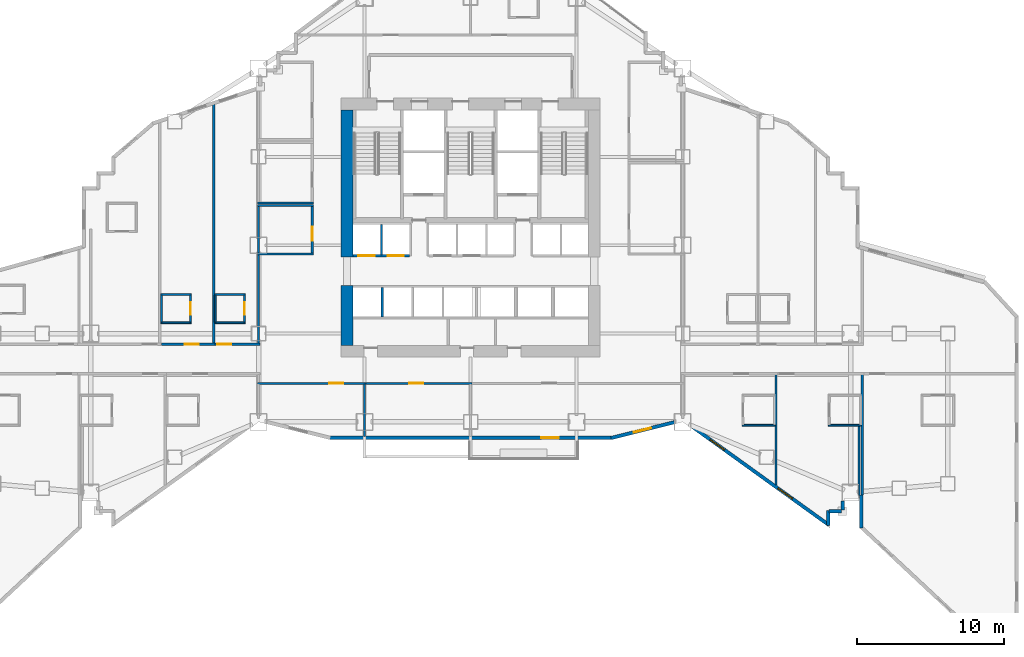
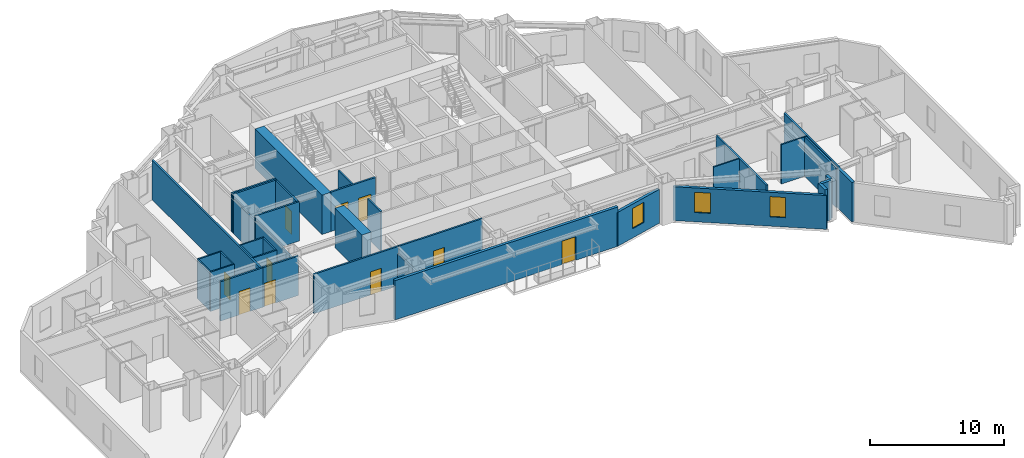
# One storey, part 8 of 15: 37 walls, 10 doors, 3 windows, 13 openings.
"""IFC4 building model written with IfcOpenShell, lengths in metres."""

import ifcopenshell
import ifcopenshell.guid

model = None  # the IFC model being written
_history = None  # IfcOwnerHistory: only IFC2X3 demands one
_inside = {}  # id of a spatial element -> (the spatial element, [elements in it])
_under = {}  # id of a project, library or spatial element -> (it, [spatial elements below it])
_declared = {}  # id of a project -> (the project, [libraries it declares])
_typed = {}  # id of a type object -> (the type object, [elements of that type])
_made_of = {}  # id of a material, layer set ... -> (it, [elements and type objects made of it])


def new_model(schema):
    """Start an empty IFC model of exactly this schema.

    Asked for "IFC4X3", IfcOpenShell would pick the latest addendum, in which some entities
    have other attributes; the version numbers below select the first issue.
    IFC2X3 requires an IfcOwnerHistory on every rooted entity: one is made here for all.
    """
    global model, _history
    if schema == "IFC4X3":
        model = ifcopenshell.file(schema_version=(4, 3, 0, 0))
    else:
        model = ifcopenshell.file(schema=schema)
    _inside.clear()
    _under.clear()
    _declared.clear()
    _typed.clear()
    _made_of.clear()
    _history = None
    if model.schema == "IFC2X3":
        org = make("IfcOrganization", Name="unknown")
        user = make(
            "IfcPersonAndOrganization",
            ThePerson=make("IfcPerson", FamilyName="unknown"),
            TheOrganization=org,
        )
        app = make(
            "IfcApplication",
            ApplicationDeveloper=org,
            Version="unknown",
            ApplicationFullName="unknown",
            ApplicationIdentifier="unknown",
        )
        _history = make(
            "IfcOwnerHistory",
            OwningUser=user,
            OwningApplication=app,
            ChangeAction="ADDED",
            CreationDate=0,
        )
    return model


def make(cls, **values):
    """One entity of the class cls with the attributes given. An attribute that is None is left unset."""
    return model.create_entity(
        cls, **{name: value for name, value in values.items() if value is not None}
    )


def rooted(cls, **values):
    """An entity with a GlobalId (a new one), such as an element, a storey or a relation."""
    return make(cls, GlobalId=ifcopenshell.guid.new(), OwnerHistory=_history, **values)


def si_unit(unit_type, name, prefix=None):
    """IfcSIUnit, for example si_unit("LENGTHUNIT", "METRE", prefix="MILLI")."""
    return make("IfcSIUnit", UnitType=unit_type, Prefix=prefix, Name=name)


def assignment(units):
    """IfcUnitAssignment: the units of a project."""
    return None if units is None else make("IfcUnitAssignment", Units=units)


def point(xyz):
    """IfcCartesianPoint."""
    return None if xyz is None else make("IfcCartesianPoint", Coordinates=xyz)


def direction(xyz):
    """IfcDirection."""
    return None if xyz is None else make("IfcDirection", DirectionRatios=xyz)


def frame(location, z_axis=None, x_axis=None):
    """IfcAxis2Placement3D, a coordinate frame: its origin and axes. An axis left out is left unset."""
    return make(
        "IfcAxis2Placement3D",
        Location=point(location),
        Axis=direction(z_axis),
        RefDirection=direction(x_axis),
    )


def frame_2d(location, x_axis=None):
    """IfcAxis2Placement2D, a coordinate frame in the plane: its origin and x axis."""
    return make(
        "IfcAxis2Placement2D", Location=point(location), RefDirection=direction(x_axis)
    )


def origin():
    """The frame at (0, 0, 0) with its axes left unset."""
    return frame((0.0, 0.0, 0.0))


def place(relative_to, where):
    """IfcLocalPlacement: puts the frame where relative to a parent placement (None: the world)."""
    return make(
        "IfcLocalPlacement", PlacementRelTo=relative_to, RelativePlacement=where
    )


def context(
    kind, dimensions, precision=None, world=None, true_north=None, identifier=None
):
    """IfcGeometricRepresentationContext, for example the 3D "Model" context."""
    return make(
        "IfcGeometricRepresentationContext",
        ContextIdentifier=identifier,
        ContextType=kind,
        CoordinateSpaceDimension=dimensions,
        Precision=precision,
        WorldCoordinateSystem=world,
        TrueNorth=true_north,
    )


def subcontext(parent, identifier, kind, view, scale=None):
    """IfcGeometricRepresentationSubContext, for example "Body" below "Model"."""
    return make(
        "IfcGeometricRepresentationSubContext",
        ContextIdentifier=identifier,
        ContextType=kind,
        ParentContext=parent,
        TargetScale=scale,
        TargetView=view,
    )


def project(units=None, contexts=None):
    """IfcProject with its units and contexts."""
    return rooted(
        "IfcProject",
        Name="project",
        RepresentationContexts=contexts,
        UnitsInContext=assignment(units),
    )


def spatial(cls, under=None, at=None, **own):
    """A site, building, storey or space (cls), placed at a placement, below another one or the project."""
    s = rooted(cls, ObjectPlacement=at, **own)
    if under is not None:
        _under.setdefault(under.id(), (under, []))[1].append(s)
    return s


def profile(cls, at=None, kind="AREA", **sizes):
    """A parametric profile (cls). Its sizes go by their IFC names, for example OverallWidth=200.0."""
    return make(cls, ProfileType=kind, Position=at, **sizes)


def rectangle(**sizes):
    """IfcRectangleProfileDef."""
    return profile("IfcRectangleProfileDef", **sizes)


def extrude(swept, where, along, depth):
    """IfcExtrudedAreaSolid: the profile swept, set in the frame where, extruded along a direction by depth."""
    return make(
        "IfcExtrudedAreaSolid",
        SweptArea=swept,
        Position=where,
        ExtrudedDirection=direction(along),
        Depth=depth,
    )


def shape(context_of_items, identifier, shape_type, items):
    """IfcShapeRepresentation: the items that make up one representation, for example the "Body"."""
    return make(
        "IfcShapeRepresentation",
        ContextOfItems=context_of_items,
        RepresentationIdentifier=identifier,
        RepresentationType=shape_type,
        Items=items,
    )


def material(Name=None, Category=None):
    """IfcMaterial."""
    return make("IfcMaterial", Name=Name, Category=Category)


def layer(
    of_material, thickness, ventilated=None, Name=None, Category=None, Priority=None
):
    """IfcMaterialLayer: one layer of a wall or slab, of a material (None: an air gap)."""
    return make(
        "IfcMaterialLayer",
        Material=of_material,
        LayerThickness=thickness,
        IsVentilated=ventilated,
        Name=Name,
        Category=Category,
        Priority=Priority,
    )


def layer_set(layers, Name=None):
    """IfcMaterialLayerSet."""
    return make("IfcMaterialLayerSet", MaterialLayers=layers, LayerSetName=Name)


def made_of(thing, what):
    """Note that an element or type object is made of a material, layer set ...; save() writes the relation."""
    if what is not None:
        _made_of.setdefault(what.id(), (what, []))[1].append(thing)
    return thing


def type_object(cls, material=None, **own):
    """A type object (cls), such as IfcWallType, which elements share."""
    return made_of(rooted(cls, **own), material)


def element(
    cls,
    number,
    at=None,
    inside=None,
    cuts=None,
    type_object=None,
    material=None,
    context=None,
    identifier="Body",
    shape_type=None,
    held_by="IfcProductDefinitionShape",
    body=None,
    shapes=None,
    **own,
):
    """One element of the class cls, such as IfcWall. Its Tag is "e" and its number.

    at: its placement. inside: the storey or other place that contains it. cuts: it is an
    opening in that element (IfcRelVoidsElement). A single representation is given by context,
    identifier, shape_type and body (its items); several are given by shapes. held_by: the class
    of the entity that holds the representations. save() writes the other relations.
    """
    e = rooted(cls, Tag="e%d" % number, ObjectPlacement=at, **own)
    if body is not None:
        shapes = [shape(context, identifier, shape_type, body)]
    if shapes is not None:
        e.Representation = make(held_by, Representations=shapes)
    if inside is not None:
        _inside.setdefault(inside.id(), (inside, []))[1].append(e)
    if cuts is not None:
        rooted(
            "IfcRelVoidsElement", RelatingBuildingElement=cuts, RelatedOpeningElement=e
        )
    if type_object is not None:
        _typed.setdefault(type_object.id(), (type_object, []))[1].append(e)
    return made_of(e, material)


def fill(opening, filler):
    """IfcRelFillsElement: the door or window that sits in an opening."""
    return rooted(
        "IfcRelFillsElement",
        RelatingOpeningElement=opening,
        RelatedBuildingElement=filler,
    )


def aggregate(whole, parts):
    """IfcRelAggregates: a whole, such as a stair, and the parts it consists of."""
    return rooted("IfcRelAggregates", RelatingObject=whole, RelatedObjects=parts)


def save(model, path):
    """Write the relations noted so far, then the file.

    IfcRelAggregates (storeys below a building ...), IfcRelContainedInSpatialStructure (elements
    in a storey), IfcRelDefinesByType, IfcRelAssociatesMaterial and IfcRelDeclares: one each for
    every whole, place, type object, material and project.
    """
    for whole, parts in _under.values():
        aggregate(whole, parts)
    for where, things in _inside.values():
        rooted(
            "IfcRelContainedInSpatialStructure",
            RelatedElements=things,
            RelatingStructure=where,
        )
    for kind, things in _typed.values():
        rooted("IfcRelDefinesByType", RelatedObjects=things, RelatingType=kind)
    for what, things in _made_of.values():
        rooted("IfcRelAssociatesMaterial", RelatedObjects=things, RelatingMaterial=what)
    for by, libraries in _declared.values():
        rooted("IfcRelDeclares", RelatingContext=by, RelatedDefinitions=libraries)
    model.write(path)


model = new_model("IFC4")

# Units and contexts
model_context = context("Model", 3, precision=1e-05, world=origin(), true_north=direction((0.0, 1.0)))
body_context = subcontext(model_context, "Body", "Model", "MODEL_VIEW")
ifc_project = project(units=[si_unit("LENGTHUNIT", "METRE"), si_unit("AREAUNIT", "SQUARE_METRE"), si_unit("VOLUMEUNIT", "CUBIC_METRE"), si_unit("PLANEANGLEUNIT", "RADIAN"), si_unit("MASSUNIT", "GRAM", prefix="KILO")], contexts=[model_context])

# Site, building, storey
site_placement = place(None, origin())
site = spatial("IfcSite", under=ifc_project, at=site_placement, CompositionType="ELEMENT")
building_placement = place(site_placement, origin())
building = spatial("IfcBuilding", under=site, at=building_placement, Name="Haolan Belvedere Tower", CompositionType="ELEMENT")
storey_placement = place(building_placement, frame((0.0, 0.0, 70.39990234375)))
storey = spatial("IfcBuildingStorey", under=building, at=storey_placement, Name="L17", CompositionType="ELEMENT", Elevation=70.39990234375)

# Walls
ifc_material_1 = material(Name="Concrete C70/85", Category="concrete")
ifc_layer_1 = layer(ifc_material_1, 0.800048828125, Name="Concrete C70/85")
ifc_layer_set_1 = layer_set([ifc_layer_1], Name="Concrete C70/85")
wall_type_1 = type_object("IfcWallType", Name="WL-CORE-800", PredefinedType="SHEAR", material=ifc_layer_set_1)
wall_1_placement = place(storey_placement, frame((30.0, 26.800048828125, 0.0), z_axis=(0.0, 0.0, 1.0), x_axis=(0.0, 1.0, 0.0)))
element("IfcWall", 1, at=wall_1_placement, inside=storey, type_object=wall_type_1, Name="L17 central core shear wall WS", PredefinedType="SHEAR", context=body_context, shape_type="SweptSolid", body=[
    extrude(rectangle(XDim=4.050048828125, YDim=0.800048828125, at=frame_2d((2.02490234375, 0.0))), origin(), (0.0, 0.0, 1.0), 3.60009765625),
])
wall_2_placement = place(storey_placement, frame((30.0, 32.800048828125, 0.0), z_axis=(0.0, 0.0, 1.0), x_axis=(0.0, 1.0, 0.0)))
element("IfcWall", 2, at=wall_2_placement, inside=storey, type_object=wall_type_1, Name="L17 central core shear wall WN", PredefinedType="SHEAR", context=body_context, shape_type="SweptSolid", body=[
    extrude(rectangle(XDim=10.0, YDim=0.800048828125, at=frame_2d((5.0, 0.0))), origin(), (0.0, 0.0, 1.0), 3.60009765625),
])

# Wall, opening, door
ifc_material_2 = material(Name="Precast concrete C40/50", Category="concrete")
ifc_layer_2 = layer(ifc_material_2, 0.239990234375, Name="Precast concrete C40/50")
ifc_layer_set_2 = layer_set([ifc_layer_2], Name="Precast concrete C40/50")
wall_type_2 = type_object("IfcWallType", Name="WL-EXT-240", PredefinedType="SOLIDWALL", material=ifc_layer_set_2)
wall_3_placement = place(storey_placement, frame((28.759765625, 20.52001953125, 0.0), z_axis=(0.0, 0.0, 1.0), x_axis=(1.0, 0.0, 0.0)))
wall_3 = element("IfcWall", 3, at=wall_3_placement, inside=storey, type_object=wall_type_2, Name="L17 pale-metal exterior spandrel wall 13.1", PredefinedType="SOLIDWALL", context=body_context, shape_type="SweptSolid", body=[
    extrude(rectangle(XDim=19.280517578125, YDim=0.239990234375, at=frame_2d((9.64013671875, 0.0))), origin(), (0.0, 0.0, 1.0), 3.60009765625),
])
opening_1_placement = place(wall_3_placement, frame((15.64013671875, 0.0, 0.0), z_axis=(0.0, 0.0, 1.0), x_axis=(-1.0, 0.0, 0.0)))
opening_1 = element("IfcOpeningElement", 4, at=opening_1_placement, cuts=wall_3, Name="Opening BD-01", PredefinedType="OPENING", context=body_context, shape_type="SweptSolid", body=[
    extrude(rectangle(XDim=1.199951171875, YDim=2.14990234375, at=frame_2d((0.60009765625, 1.074951171875))), frame((0.0, 0.1298828125, 0.0), z_axis=(0.0, -1.0, 0.0), x_axis=(1.0, 0.0, 0.0)), (0.0, 0.0, 1.0), 0.260009765625),
])
ifc_material_3 = material(Name="Thermally broken pale-metal aluminium and Low-E glass", Category="aluminium")
door_type_1 = type_object("IfcDoorType", Name="DR-BAL-1200", OperationType="NOTDEFINED", PredefinedType="DOOR", material=ifc_material_3)
door_1_placement = place(opening_1_placement, origin())
door_1 = element("IfcDoor", 5, at=door_1_placement, inside=storey, type_object=door_type_1, Name="L17 tree-balcony access door 1", OperationType="SINGLE_SWING_LEFT", OverallHeight=2.14990234375, OverallWidth=1.199951171875, PredefinedType="DOOR", context=body_context, shape_type="SweptSolid", body=[
    extrude(rectangle(XDim=1.199951171875, YDim=2.14990234375, at=frame_2d((0.60009765625, 1.074951171875))), frame((0.0, 0.02490234375, 0.0), z_axis=(0.0, -1.0, 0.0), x_axis=(1.0, 0.0, 0.0)), (0.0, 0.0, 1.0), 0.050048828125),
])
fill(opening_1, door_1)

# Wall, opening, window
wall_4_placement = place(storey_placement, frame((47.931884765625, 20.506591796875, 0.0), z_axis=(0.0, 0.0, 1.0), x_axis=(0.970145739396, 0.242522667667, 0.0)))
wall_4 = element("IfcWall", 6, at=wall_4_placement, inside=storey, type_object=wall_type_2, Name="L17 pale-metal exterior spandrel wall 14.1", PredefinedType="SOLIDWALL", context=body_context, shape_type="SweptSolid", body=[
    extrude(rectangle(XDim=4.433349609375, YDim=0.239990234375, at=frame_2d((2.216796875, 0.0))), origin(), (0.0, 0.0, 1.0), 3.09716796875),
])
opening_2_placement = place(wall_4_placement, frame((1.60009765625, 0.0, 0.85009765625)))
opening_2 = element("IfcOpeningElement", 7, at=opening_2_placement, cuts=wall_4, Name="Opening W-01", PredefinedType="OPENING", context=body_context, shape_type="SweptSolid", body=[
    extrude(rectangle(XDim=1.199951171875, YDim=1.85009765625, at=frame_2d((0.60009765625, 0.925048828125))), frame((0.0, 0.1298828125, 0.0), z_axis=(0.0, -1.0, 0.0), x_axis=(1.0, 0.0, 0.0)), (0.0, 0.0, 1.0), 0.260009765625),
])
ifc_material_4 = material(Name="Anodised aluminium 6063-T6 and Low-E glass", Category="aluminium")
window_type = type_object("IfcWindowType", Name="WN-DECO-Z1", PartitioningType="SINGLE_PANEL", PredefinedType="WINDOW", material=ifc_material_4)
window_1_placement = place(opening_2_placement, origin())
window_1 = element("IfcWindow", 8, at=window_1_placement, inside=storey, type_object=window_type, Name="L17 Art Deco chevron window 1", OverallHeight=1.85009765625, OverallWidth=1.199951171875, PartitioningType="SINGLE_PANEL", PredefinedType="WINDOW", context=body_context, shape_type="SweptSolid", body=[
    extrude(rectangle(XDim=1.199951171875, YDim=1.85009765625, at=frame_2d((0.60009765625, 0.925048828125))), frame((0.0, 0.030029296875, 0.0), z_axis=(0.0, -1.0, 0.0), x_axis=(1.0, 0.0, 0.0)), (0.0, 0.0, 1.0), 0.06005859375),
])
fill(opening_2, window_1)

# Wall, openings, windows
wall_5_placement = place(storey_placement, frame((53.366943359375, 21.339599609375, 0.0), z_axis=(0.0, 0.0, 1.0), x_axis=(0.811543176492, -0.58429245476, 0.0)))
wall_5 = element("IfcWall", 9, at=wall_5_placement, inside=storey, type_object=wall_type_2, Name="L17 pale-metal exterior spandrel wall 15.1", PredefinedType="SOLIDWALL", context=body_context, shape_type="SweptSolid", body=[
    extrude(rectangle(XDim=11.53076171875, YDim=0.239990234375, at=frame_2d((5.765380859375, 0.0))), origin(), (0.0, 0.0, 1.0), 3.09716796875),
])
opening_3_placement = place(wall_5_placement, frame((1.60009765625, 0.0, 0.85009765625)))
opening_3 = element("IfcOpeningElement", 10, at=opening_3_placement, cuts=wall_5, Name="Opening W-01", PredefinedType="OPENING", context=body_context, shape_type="SweptSolid", body=[
    extrude(rectangle(XDim=1.199951171875, YDim=1.85009765625, at=frame_2d((0.60009765625, 0.925048828125))), frame((0.0, 0.1298828125, 0.0), z_axis=(0.0, -1.0, 0.0), x_axis=(1.0, 0.0, 0.0)), (0.0, 0.0, 1.0), 0.260009765625),
])
opening_4_placement = place(wall_5_placement, frame((7.27294921875, 0.0, 0.85009765625)))
opening_4 = element("IfcOpeningElement", 11, at=opening_4_placement, cuts=wall_5, Name="Opening W-01", PredefinedType="OPENING", context=body_context, shape_type="SweptSolid", body=[
    extrude(rectangle(XDim=1.199951171875, YDim=1.85009765625, at=frame_2d((0.60009765625, 0.925048828125))), frame((0.0, 0.1298828125, 0.0), z_axis=(0.0, -1.0, 0.0), x_axis=(1.0, 0.0, 0.0)), (0.0, 0.0, 1.0), 0.260009765625),
])
window_2_placement = place(opening_3_placement, origin())
window_2 = element("IfcWindow", 12, at=window_2_placement, inside=storey, type_object=window_type, Name="L17 Art Deco chevron window 1", OverallHeight=1.85009765625, OverallWidth=1.199951171875, PartitioningType="SINGLE_PANEL", PredefinedType="WINDOW", context=body_context, shape_type="SweptSolid", body=[
    extrude(rectangle(XDim=1.199951171875, YDim=1.85009765625, at=frame_2d((0.60009765625, 0.925048828125))), frame((0.0, 0.030029296875, 0.0), z_axis=(0.0, -1.0, 0.0), x_axis=(1.0, 0.0, 0.0)), (0.0, 0.0, 1.0), 0.06005859375),
])
fill(opening_3, window_2)
window_3_placement = place(opening_4_placement, origin())
window_3 = element("IfcWindow", 13, at=window_3_placement, inside=storey, type_object=window_type, Name="L17 Art Deco chevron window 2", OverallHeight=1.85009765625, OverallWidth=1.199951171875, PartitioningType="SINGLE_PANEL", PredefinedType="WINDOW", context=body_context, shape_type="SweptSolid", body=[
    extrude(rectangle(XDim=1.199951171875, YDim=1.85009765625, at=frame_2d((0.60009765625, 0.925048828125))), frame((0.0, 0.030029296875, 0.0), z_axis=(0.0, -1.0, 0.0), x_axis=(1.0, 0.0, 0.0)), (0.0, 0.0, 1.0), 0.06005859375),
])
fill(opening_4, window_3)

# Walls
wall_6_placement = place(storey_placement, frame((62.679931640625, 14.579345703125, 0.0), z_axis=(0.0, 0.0, 1.0), x_axis=(0.0, 1.0, 0.0)))
element("IfcWall", 14, at=wall_6_placement, inside=storey, type_object=wall_type_2, Name="L17 pale-metal exterior spandrel wall 16.1", PredefinedType="SOLIDWALL", context=body_context, shape_type="SweptSolid", body=[
    extrude(rectangle(XDim=0.99560546875, YDim=0.239990234375, at=frame_2d((0.497802734375, 0.0))), origin(), (0.0, 0.0, 1.0), 3.60009765625),
])
wall_7_placement = place(storey_placement, frame((62.7451171875, 15.52001953125, 0.0), z_axis=(0.0, 0.0, 1.0), x_axis=(1.0, 0.0, 0.0)))
element("IfcWall", 15, at=wall_7_placement, inside=storey, type_object=wall_type_2, Name="L17 pale-metal exterior spandrel wall 17.1", PredefinedType="SOLIDWALL", context=body_context, shape_type="SweptSolid", body=[
    extrude(rectangle(XDim=0.849853515625, YDim=0.239990234375, at=frame_2d((0.4248046875, 0.0))), origin(), (0.0, 0.0, 1.0), 3.60009765625),
])
wall_8_placement = place(storey_placement, frame((63.679931640625, 15.60498046875, 0.0), z_axis=(0.0, 0.0, 1.0), x_axis=(0.0, 1.0, 0.0)))
element("IfcWall", 16, at=wall_8_placement, inside=storey, type_object=wall_type_2, Name="L17 pale-metal exterior spandrel wall 18.1", PredefinedType="SOLIDWALL", context=body_context, shape_type="SweptSolid", body=[
    extrude(rectangle(XDim=0.6279296875, YDim=0.239990234375, at=frame_2d((0.31396484375, 0.0))), origin(), (0.0, 0.0, 1.0), 3.60009765625),
])
wall_9_placement = place(storey_placement, frame((64.919921875, 16.639892578125, 0.0), z_axis=(0.0, 0.0, 1.0), x_axis=(0.0, -1.0, 0.0)))
element("IfcWall", 17, at=wall_9_placement, inside=storey, type_object=wall_type_2, Name="L17 pale-metal exterior spandrel wall 20.1", PredefinedType="SOLIDWALL", context=body_context, shape_type="SweptSolid", body=[
    extrude(rectangle(XDim=2.24267578125, YDim=0.239990234375, at=frame_2d((1.121337890625, 0.0))), origin(), (0.0, 0.0, 1.0), 3.60009765625),
])
ifc_material_5 = material(Name="Double gypsum acoustic stud partition", Category="masonry")
ifc_layer_3 = layer(ifc_material_5, 0.14990234375, Name="Double gypsum acoustic stud partition")
ifc_layer_set_3 = layer_set([ifc_layer_3], Name="Double gypsum acoustic stud partition")
wall_type_3 = type_object("IfcWallType", Name="WL-PART-150", PredefinedType="PARTITIONING", material=ifc_layer_set_3)
for number, where, z_axis, x_axis, name in (
    (18, (23.919921875, 36.300048828125, 0.0), (0.0, 0.0, 1.0), (1.0, 0.0, 0.0), "L17 interior partition IW-L17-AWC-N"),
    (19, (23.919921875, 33.0, 0.0), (0.0, 0.0, 1.0), (1.0, 0.0, 0.0), "L17 interior partition IW-L17-AWC-S"),
):
    element("IfcWall", number, at=place(storey_placement, frame(where, z_axis=z_axis, x_axis=x_axis)), inside=storey, type_object=wall_type_3, Name=name, PredefinedType="PARTITIONING", context=body_context, shape_type="SweptSolid", body=[
        extrude(rectangle(XDim=3.800048828125, YDim=0.14990234375, at=frame_2d((1.89990234375, 0.0))), origin(), (0.0, 0.0, 1.0), 3.60009765625),
    ])
wall_10_placement = place(storey_placement, frame((24.0, 33.06005859375, 0.0), z_axis=(0.0, 0.0, 1.0), x_axis=(0.0, 1.0, 0.0)))
element("IfcWall", 20, at=wall_10_placement, inside=storey, type_object=wall_type_3, Name="L17 interior partition IW-L17-AWC-W", PredefinedType="PARTITIONING", context=body_context, shape_type="SweptSolid", body=[
    extrude(rectangle(XDim=3.179931640625, YDim=0.14990234375, at=frame_2d((1.58984375, 0.0))), origin(), (0.0, 0.0, 1.0), 3.09716796875),
])

# Wall, opening, door
wall_11_placement = place(storey_placement, frame((27.639892578125, 33.06005859375, 0.0), z_axis=(0.0, 0.0, 1.0), x_axis=(0.0, 1.0, 0.0)))
wall_11 = element("IfcWall", 21, at=wall_11_placement, inside=storey, type_object=wall_type_3, Name="L17 interior partition IW-L17-AWC-E", PredefinedType="PARTITIONING", context=body_context, shape_type="SweptSolid", body=[
    extrude(rectangle(XDim=3.179931640625, YDim=0.14990234375, at=frame_2d((1.58984375, 0.0))), origin(), (0.0, 0.0, 1.0), 3.60009765625),
])
opening_5_placement = place(wall_11_placement, frame((1.81005859375, 0.0, 0.0), z_axis=(0.0, 0.0, 1.0), x_axis=(-1.0, 0.0, 0.0)))
opening_5 = element("IfcOpeningElement", 22, at=opening_5_placement, cuts=wall_11, Name="Opening ID-03", PredefinedType="OPENING", context=body_context, shape_type="SweptSolid", body=[
    extrude(rectangle(XDim=0.949951171875, YDim=2.1201171875, at=frame_2d((0.47509765625, 1.06005859375))), frame((0.0, 0.0849609375, 0.0), z_axis=(0.0, -1.0, 0.0), x_axis=(1.0, 0.0, 0.0)), (0.0, 0.0, 1.0), 0.169921875),
])
ifc_material_6 = material(Name="Painted solid-core timber", Category="wood")
door_type_2 = type_object("IfcDoorType", Name="DR-INT-950", OperationType="NOTDEFINED", PredefinedType="DOOR", material=ifc_material_6)
door_2_placement = place(opening_5_placement, origin())
door_2 = element("IfcDoor", 23, at=door_2_placement, inside=storey, type_object=door_type_2, Name="L17 door ID-L17-AWC", OperationType="SINGLE_SWING_LEFT", OverallHeight=2.1201171875, OverallWidth=0.949951171875, PredefinedType="DOOR", context=body_context, shape_type="SweptSolid", body=[
    extrude(rectangle(XDim=0.949951171875, YDim=2.1201171875, at=frame_2d((0.47509765625, 1.06005859375))), frame((0.0, 0.02490234375, 0.0), z_axis=(0.0, -1.0, 0.0), x_axis=(1.0, 0.0, 0.0)), (0.0, 0.0, 1.0), 0.050048828125),
])
fill(opening_5, door_2)

# Wall
wall_12_placement = place(storey_placement, frame((23.919921875, 36.4599609375, 0.0), z_axis=(0.0, 0.0, 1.0), x_axis=(1.0, 0.0, 0.0)))
element("IfcWall", 24, at=wall_12_placement, inside=storey, type_object=wall_type_3, Name="L17 interior partition IW-L17-PNT-S", PredefinedType="PARTITIONING", context=body_context, shape_type="SweptSolid", body=[
    extrude(rectangle(XDim=3.800048828125, YDim=0.14990234375, at=frame_2d((1.89990234375, 0.0))), origin(), (0.0, 0.0, 1.0), 3.60009765625),
])

# Wall, opening, door
wall_13_placement = place(storey_placement, frame((23.919921875, 24.219970703125, 0.0), z_axis=(0.0, 0.0, 1.0), x_axis=(1.0, 0.0, 0.0)))
wall_13 = element("IfcWall", 25, at=wall_13_placement, inside=storey, type_object=wall_type_3, Name="L17 interior partition IW-L17-KS1-N", PredefinedType="PARTITIONING", context=body_context, shape_type="SweptSolid", body=[
    extrude(rectangle(XDim=7.360107421875, YDim=0.14990234375, at=frame_2d((3.68017578125, 0.0))), origin(), (0.0, 0.0, 1.0), 3.60009765625),
])
opening_6_placement = place(wall_13_placement, frame((5.844970703125, 0.0, 0.0), z_axis=(0.0, 0.0, 1.0), x_axis=(-1.0, 0.0, 0.0)))
opening_6 = element("IfcOpeningElement", 26, at=opening_6_placement, cuts=wall_13, Name="Opening ID-03", PredefinedType="OPENING", context=body_context, shape_type="SweptSolid", body=[
    extrude(rectangle(XDim=0.949951171875, YDim=2.1201171875, at=frame_2d((0.47509765625, 1.06005859375))), frame((0.0, 0.0849609375, 0.0), z_axis=(0.0, -1.0, 0.0), x_axis=(1.0, 0.0, 0.0)), (0.0, 0.0, 1.0), 0.169921875),
])
door_3_placement = place(opening_6_placement, origin())
door_3 = element("IfcDoor", 27, at=door_3_placement, inside=storey, type_object=door_type_2, Name="L17 door ID-L17-KS1", OperationType="SINGLE_SWING_LEFT", OverallHeight=2.1201171875, OverallWidth=0.949951171875, PredefinedType="DOOR", context=body_context, shape_type="SweptSolid", body=[
    extrude(rectangle(XDim=0.949951171875, YDim=2.1201171875, at=frame_2d((0.47509765625, 1.06005859375))), frame((0.0, 0.02490234375, 0.0), z_axis=(0.0, -1.0, 0.0), x_axis=(1.0, 0.0, 0.0)), (0.0, 0.0, 1.0), 0.050048828125),
])
fill(opening_6, door_3)

# Wall
wall_14_placement = place(storey_placement, frame((31.199951171875, 20.625, 0.0), z_axis=(0.0, 0.0, 1.0), x_axis=(0.0, 1.0, 0.0)))
element("IfcWall", 28, at=wall_14_placement, inside=storey, type_object=wall_type_3, Name="L17 interior partition IW-L17-KS1-E", PredefinedType="PARTITIONING", context=body_context, shape_type="SweptSolid", body=[
    extrude(rectangle(XDim=3.534912109375, YDim=0.14990234375, at=frame_2d((1.767578125, 0.0))), origin(), (0.0, 0.0, 1.0), 2.985107421875),
])

# Wall, opening, door
wall_15_placement = place(storey_placement, frame((31.281982421875, 24.219970703125, 0.0), z_axis=(0.0, 0.0, 1.0), x_axis=(1.0, 0.0, 0.0)))
wall_15 = element("IfcWall", 29, at=wall_15_placement, inside=storey, type_object=wall_type_3, Name="L17 interior partition IW-L17-KS2-N", PredefinedType="PARTITIONING", context=body_context, shape_type="SweptSolid", body=[
    extrude(rectangle(XDim=7.197998046875, YDim=0.14990234375, at=frame_2d((3.59912109375, 0.0))), origin(), (0.0, 0.0, 1.0), 3.60009765625),
])
opening_7_placement = place(wall_15_placement, frame((3.912841796875, 0.0, 0.0), z_axis=(0.0, 0.0, 1.0), x_axis=(-1.0, 0.0, 0.0)))
opening_7 = element("IfcOpeningElement", 30, at=opening_7_placement, cuts=wall_15, Name="Opening ID-03", PredefinedType="OPENING", context=body_context, shape_type="SweptSolid", body=[
    extrude(rectangle(XDim=0.949951171875, YDim=2.1201171875, at=frame_2d((0.47509765625, 1.06005859375))), frame((0.0, 0.0849609375, 0.0), z_axis=(0.0, -1.0, 0.0), x_axis=(1.0, 0.0, 0.0)), (0.0, 0.0, 1.0), 0.169921875),
])
door_4_placement = place(opening_7_placement, origin())
door_4 = element("IfcDoor", 31, at=door_4_placement, inside=storey, type_object=door_type_2, Name="L17 door ID-L17-KS2", OperationType="SINGLE_SWING_RIGHT", OverallHeight=2.1201171875, OverallWidth=0.949951171875, PredefinedType="DOOR", context=body_context, shape_type="SweptSolid", body=[
    extrude(rectangle(XDim=0.949951171875, YDim=2.1201171875, at=frame_2d((0.47509765625, 1.06005859375))), frame((0.0, 0.02490234375, 0.0), z_axis=(0.0, -1.0, 0.0), x_axis=(1.0, 0.0, 0.0)), (0.0, 0.0, 1.0), 0.050048828125),
])
fill(opening_7, door_4)

wall_16_placement = place(storey_placement, frame((17.39208984375, 26.8798828125, 0.0), z_axis=(0.0, 0.0, 1.0), x_axis=(1.0, 0.0, 0.0)))
wall_16 = element("IfcWall", 32, at=wall_16_placement, inside=storey, type_object=wall_type_3, Name="L17 interior partition IW-L17-T2N2-S", PredefinedType="PARTITIONING", context=body_context, shape_type="SweptSolid", body=[
    extrude(rectangle(XDim=3.657958984375, YDim=0.14990234375, at=frame_2d((1.8291015625, 0.0))), origin(), (0.0, 0.0, 1.0), 3.60009765625),
])
opening_8_placement = place(wall_16_placement, frame((1.6005859375, 0.0, 0.0)))
opening_8 = element("IfcOpeningElement", 33, at=opening_8_placement, cuts=wall_16, Name="Opening ID-02", PredefinedType="OPENING", context=body_context, shape_type="SweptSolid", body=[
    extrude(rectangle(XDim=0.949951171875, YDim=2.14990234375, at=frame_2d((0.47509765625, 1.074951171875))), frame((0.0, 0.0849609375, 0.0), z_axis=(0.0, -1.0, 0.0), x_axis=(1.0, 0.0, 0.0)), (0.0, 0.0, 1.0), 0.169921875),
])
ifc_material_7 = material(Name="Acoustic oak veneer fire-rated timber", Category="wood")
door_type_3 = type_object("IfcDoorType", Name="DR-GUEST-950", OperationType="NOTDEFINED", PredefinedType="DOOR", material=ifc_material_7)
door_5_placement = place(opening_8_placement, origin())
door_5 = element("IfcDoor", 34, at=door_5_placement, inside=storey, type_object=door_type_3, Name="L17 door ID-L17-T2N2-ENT", OperationType="SINGLE_SWING_RIGHT", OverallHeight=2.14990234375, OverallWidth=0.949951171875, PredefinedType="DOOR", context=body_context, shape_type="SweptSolid", body=[
    extrude(rectangle(XDim=0.949951171875, YDim=2.14990234375, at=frame_2d((0.47509765625, 1.074951171875))), frame((0.0, 0.02490234375, 0.0), z_axis=(0.0, -1.0, 0.0), x_axis=(1.0, 0.0, 0.0)), (0.0, 0.0, 1.0), 0.050048828125),
])
fill(opening_8, door_5)

# Wall
wall_17_placement = place(storey_placement, frame((20.949951171875, 26.93994140625, 0.0), z_axis=(0.0, 0.0, 1.0), x_axis=(0.0, 1.0, 0.0)))
element("IfcWall", 35, at=wall_17_placement, inside=storey, type_object=wall_type_3, Name="L17 interior partition IW-L17-T2N2-E", PredefinedType="PARTITIONING", context=body_context, shape_type="SweptSolid", body=[
    extrude(rectangle(XDim=16.206298828125, YDim=0.14990234375, at=frame_2d((8.10302734375, 0.0))), origin(), (0.0, 0.0, 1.0), 3.60009765625),
])

# Wall, opening, door
wall_18_placement = place(storey_placement, frame((21.052001953125, 26.8798828125, 0.0), z_axis=(0.0, 0.0, 1.0), x_axis=(1.0, 0.0, 0.0)))
wall_18 = element("IfcWall", 36, at=wall_18_placement, inside=storey, type_object=wall_type_3, Name="L17 interior partition IW-L17-T2N3-S", PredefinedType="PARTITIONING", context=body_context, shape_type="SweptSolid", body=[
    extrude(rectangle(XDim=3.048095703125, YDim=0.14990234375, at=frame_2d((1.52392578125, 0.0))), origin(), (0.0, 0.0, 1.0), 3.60009765625),
])
opening_9_placement = place(wall_18_placement, frame((0.139892578125, 0.0, 0.0)))
opening_9 = element("IfcOpeningElement", 37, at=opening_9_placement, cuts=wall_18, Name="Opening ID-02", PredefinedType="OPENING", context=body_context, shape_type="SweptSolid", body=[
    extrude(rectangle(XDim=0.949951171875, YDim=2.14990234375, at=frame_2d((0.47509765625, 1.074951171875))), frame((0.0, 0.0849609375, 0.0), z_axis=(0.0, -1.0, 0.0), x_axis=(1.0, 0.0, 0.0)), (0.0, 0.0, 1.0), 0.169921875),
])
door_6_placement = place(opening_9_placement, origin())
door_6 = element("IfcDoor", 38, at=door_6_placement, inside=storey, type_object=door_type_3, Name="L17 door ID-L17-T2N3-ENT", OperationType="SINGLE_SWING_LEFT", OverallHeight=2.14990234375, OverallWidth=0.949951171875, PredefinedType="DOOR", context=body_context, shape_type="SweptSolid", body=[
    extrude(rectangle(XDim=0.949951171875, YDim=2.14990234375, at=frame_2d((0.47509765625, 1.074951171875))), frame((0.0, 0.02490234375, 0.0), z_axis=(0.0, -1.0, 0.0), x_axis=(1.0, 0.0, 0.0)), (0.0, 0.0, 1.0), 0.050048828125),
])
fill(opening_9, door_6)

# Walls
wall_19_placement = place(storey_placement, frame((24.0, 26.93994140625, 0.0), z_axis=(0.0, 0.0, 1.0), x_axis=(0.0, 1.0, 0.0)))
element("IfcWall", 39, at=wall_19_placement, inside=storey, type_object=wall_type_3, Name="L17 interior partition IW-L17-T2N3-E", PredefinedType="PARTITIONING", context=body_context, shape_type="SweptSolid", body=[
    extrude(rectangle(XDim=6.0, YDim=0.14990234375, at=frame_2d((3.0, 0.0))), origin(), (0.0, 0.0, 1.0), 3.09716796875),
])
wall_20_placement = place(storey_placement, frame((59.139892578125, 17.3125, 0.0), z_axis=(0.0, 0.0, 1.0), x_axis=(0.0, 1.0, 0.0)))
element("IfcWall", 40, at=wall_20_placement, inside=storey, type_object=wall_type_3, Name="L17 interior partition IW-L17-T4S1-E", PredefinedType="PARTITIONING", context=body_context, shape_type="SweptSolid", body=[
    extrude(rectangle(XDim=7.49755859375, YDim=0.14990234375, at=frame_2d((3.748779296875, 0.0))), origin(), (0.0, 0.0, 1.0), 3.60009765625),
])
wall_21_placement = place(storey_placement, frame((65.0, 16.64208984375, 0.0), z_axis=(0.0, 0.0, 1.0), x_axis=(0.0, 1.0, 0.0)))
element("IfcWall", 41, at=wall_21_placement, inside=storey, type_object=wall_type_3, Name="L17 interior partition IW-L17-T4S2-E", PredefinedType="PARTITIONING", context=body_context, shape_type="SweptSolid", body=[
    extrude(rectangle(XDim=8.16796875, YDim=0.14990234375, at=frame_2d((4.083984375, 0.0))), origin(), (0.0, 0.0, 1.0), 3.60009765625),
])
wall_22_placement = place(storey_placement, frame((64.780029296875, 16.612060546875, 0.0), z_axis=(0.0, 0.0, 1.0), x_axis=(0.0, 1.0, 0.0)))
element("IfcWall", 42, at=wall_22_placement, inside=storey, type_object=wall_type_3, Name="L17 interior partition IW-L17-T5S1-W", PredefinedType="PARTITIONING", context=body_context, shape_type="SweptSolid", body=[
    extrude(rectangle(XDim=4.712890625, YDim=0.14990234375, at=frame_2d((2.3564453125, 0.0))), origin(), (0.0, 0.0, 1.0), 3.60009765625),
])

# Wall, openings, doors
ifc_material_8 = material(Name="Gypsum fire shaftwall assembly", Category="masonry")
ifc_layer_4 = layer(ifc_material_8, 0.1650390625, Name="Gypsum fire shaftwall assembly")
ifc_layer_set_4 = layer_set([ifc_layer_4], Name="Gypsum fire shaftwall assembly")
wall_type_4 = type_object("IfcWallType", Name="WL-SHAFT-160", PredefinedType="SOLIDWALL", material=ifc_layer_set_4)
wall_23_placement = place(storey_placement, frame((30.39990234375, 32.8798828125, 0.0), z_axis=(0.0, 0.0, 1.0), x_axis=(1.0, 0.0, 0.0)))
wall_23 = element("IfcWall", 43, at=wall_23_placement, inside=storey, type_object=wall_type_4, Name="L17 interior partition IW-L17-ROW-PN1", PredefinedType="SOLIDWALL", context=body_context, shape_type="SweptSolid", body=[
    extrude(rectangle(XDim=3.85009765625, YDim=0.159912109375, at=frame_2d((1.925048828125, 0.0))), origin(), (0.0, 0.0, 1.0), 3.60009765625),
])
opening_10_placement = place(wall_23_placement, frame((1.47998046875, 0.0, 0.0), z_axis=(0.0, 0.0, 1.0), x_axis=(-1.0, 0.0, 0.0)))
opening_10 = element("IfcOpeningElement", 44, at=opening_10_placement, cuts=wall_23, Name="Opening LD-01", PredefinedType="OPENING", context=body_context, shape_type="SweptSolid", body=[
    extrude(rectangle(XDim=1.10009765625, YDim=2.199951171875, at=frame_2d((0.550048828125, 1.10009765625))), frame((0.0, 0.08984375, 0.0), z_axis=(0.0, -1.0, 0.0), x_axis=(1.0, 0.0, 0.0)), (0.0, 0.0, 1.0), 0.179931640625),
])
opening_11_placement = place(wall_23_placement, frame((3.47021484375, 0.0, 0.0), z_axis=(0.0, 0.0, 1.0), x_axis=(-1.0, 0.0, 0.0)))
opening_11 = element("IfcOpeningElement", 45, at=opening_11_placement, cuts=wall_23, Name="Opening LD-01", PredefinedType="OPENING", context=body_context, shape_type="SweptSolid", body=[
    extrude(rectangle(XDim=1.10009765625, YDim=2.199951171875, at=frame_2d((0.550048828125, 1.10009765625))), frame((0.0, 0.08984375, 0.0), z_axis=(0.0, -1.0, 0.0), x_axis=(1.0, 0.0, 0.0)), (0.0, 0.0, 1.0), 0.179931640625),
])
ifc_material_9 = material(Name="Brushed champagne stainless steel 316L", Category="steel")
door_type_4 = type_object("IfcDoorType", Name="DR-LIFT-1100", OperationType="SLIDING_TO_LEFT", PredefinedType="DOOR", material=ifc_material_9)
door_7_placement = place(opening_10_placement, origin())
door_7 = element("IfcDoor", 46, at=door_7_placement, inside=storey, type_object=door_type_4, Name="L17 door ID-L17-LD-PL1", OperationType="SLIDING_TO_LEFT", OverallHeight=2.199951171875, OverallWidth=1.10009765625, PredefinedType="DOOR", context=body_context, shape_type="SweptSolid", body=[
    extrude(rectangle(XDim=1.10009765625, YDim=2.199951171875, at=frame_2d((0.550048828125, 1.10009765625))), frame((0.0, 0.02490234375, 0.0), z_axis=(0.0, -1.0, 0.0), x_axis=(1.0, 0.0, 0.0)), (0.0, 0.0, 1.0), 0.050048828125),
])
fill(opening_10, door_7)
door_8_placement = place(opening_11_placement, origin())
door_8 = element("IfcDoor", 47, at=door_8_placement, inside=storey, type_object=door_type_4, Name="L17 door ID-L17-LD-PL2", OperationType="SLIDING_TO_LEFT", OverallHeight=2.199951171875, OverallWidth=1.10009765625, PredefinedType="DOOR", context=body_context, shape_type="SweptSolid", body=[
    extrude(rectangle(XDim=1.10009765625, YDim=2.199951171875, at=frame_2d((0.550048828125, 1.10009765625))), frame((0.0, 0.02490234375, 0.0), z_axis=(0.0, -1.0, 0.0), x_axis=(1.0, 0.0, 0.0)), (0.0, 0.0, 1.0), 0.050048828125),
])
fill(opening_11, door_8)

# Walls
wall_24_placement = place(storey_placement, frame((32.340087890625, 32.949951171875, 0.0), z_axis=(0.0, 0.0, 1.0), x_axis=(0.0, 1.0, 0.0)))
element("IfcWall", 48, at=wall_24_placement, inside=storey, type_object=wall_type_4, Name="L17 interior partition IW-L17-DIV-PL1", PredefinedType="SOLIDWALL", context=body_context, shape_type="SweptSolid", body=[
    extrude(rectangle(XDim=2.050048828125, YDim=0.14990234375, at=frame_2d((1.02490234375, 0.0))), origin(), (0.0, 0.0, 1.0), 3.60009765625),
])
wall_25_placement = place(storey_placement, frame((32.39990234375, 28.735107421875, 0.0), z_axis=(0.0, 0.0, 1.0), x_axis=(0.0, 1.0, 0.0)))
element("IfcWall", 49, at=wall_25_placement, inside=storey, type_object=wall_type_4, Name="L17 interior partition IW-L17-DIV-PM1", PredefinedType="SOLIDWALL", context=body_context, shape_type="SweptSolid", body=[
    extrude(rectangle(XDim=1.98486328125, YDim=0.14990234375, at=frame_2d((0.992431640625, 0.0))), origin(), (0.0, 0.0, 1.0), 3.60009765625),
])
ifc_material_10 = material(Name="Moisture-resistant gypsum tile partition", Category="masonry")
ifc_layer_5 = layer(ifc_material_10, 0.1201171875, Name="Moisture-resistant gypsum tile partition")
ifc_layer_set_5 = layer_set([ifc_layer_5], Name="Moisture-resistant gypsum tile partition")
wall_type_5 = type_object("IfcWallType", Name="WL-WET-120", PredefinedType="PARTITIONING", material=ifc_layer_set_5)
for number, where, z_axis, x_axis, name in (
    (50, (17.35009765625, 30.25, 0.0), (0.0, 0.0, 1.0), (1.0, 0.0, 0.0), "L17 interior partition IW-L17-T2N2-BN"),
    (51, (17.35009765625, 28.330078125, 0.0), (0.0, 0.0, 1.0), (1.0, 0.0, 0.0), "L17 interior partition IW-L17-T2N2-BS"),
):
    element("IfcWall", number, at=place(storey_placement, frame(where, z_axis=z_axis, x_axis=x_axis)), inside=storey, type_object=wall_type_5, Name=name, PredefinedType="PARTITIONING", context=body_context, shape_type="SweptSolid", body=[
        extrude(rectangle(XDim=2.093994140625, YDim=0.1201171875, at=frame_2d((1.046875, 0.0))), origin(), (0.0, 0.0, 1.0), 3.60009765625),
    ])
wall_26_placement = place(storey_placement, frame((17.404296875, 28.375, 0.0), z_axis=(0.0, 0.0, 1.0), x_axis=(0.0, 1.0, 0.0)))
element("IfcWall", 52, at=wall_26_placement, inside=storey, type_object=wall_type_5, Name="L17 interior partition IW-L17-T2N2-BW", PredefinedType="PARTITIONING", context=body_context, shape_type="SweptSolid", body=[
    extrude(rectangle(XDim=1.830078125, YDim=0.1201171875, at=frame_2d((0.9150390625, 0.0))), origin(), (0.0, 0.0, 1.0), 3.60009765625),
])

# Wall, opening, door
wall_27_placement = place(storey_placement, frame((19.38427734375, 28.375, 0.0), z_axis=(0.0, 0.0, 1.0), x_axis=(0.0, 1.0, 0.0)))
wall_27 = element("IfcWall", 53, at=wall_27_placement, inside=storey, type_object=wall_type_5, Name="L17 interior partition IW-L17-T2N2-BE", PredefinedType="PARTITIONING", context=body_context, shape_type="SweptSolid", body=[
    extrude(rectangle(XDim=1.830078125, YDim=0.1201171875, at=frame_2d((0.9150390625, 0.0))), origin(), (0.0, 0.0, 1.0), 3.60009765625),
])
opening_12_placement = place(wall_27_placement, frame((0.489990234375, 0.0, 0.0)))
opening_12 = element("IfcOpeningElement", 54, at=opening_12_placement, cuts=wall_27, Name="Opening ID-05", PredefinedType="OPENING", context=body_context, shape_type="SweptSolid", body=[
    extrude(rectangle(XDim=0.85009765625, YDim=2.10009765625, at=frame_2d((0.425048828125, 1.050048828125))), frame((0.0, 0.070068359375, 0.0), z_axis=(0.0, -1.0, 0.0), x_axis=(1.0, 0.0, 0.0)), (0.0, 0.0, 1.0), 0.14013671875),
])
ifc_material_11 = material(Name="Moisture-resistant lacquered timber", Category="wood")
door_type_5 = type_object("IfcDoorType", Name="DR-BATH-850", OperationType="NOTDEFINED", PredefinedType="DOOR", material=ifc_material_11)
door_9_placement = place(opening_12_placement, origin())
door_9 = element("IfcDoor", 55, at=door_9_placement, inside=storey, type_object=door_type_5, Name="L17 door ID-L17-T2N2-BATH", OperationType="SINGLE_SWING_LEFT", OverallHeight=2.10009765625, OverallWidth=0.85009765625, PredefinedType="DOOR", context=body_context, shape_type="SweptSolid", body=[
    extrude(rectangle(XDim=0.85009765625, YDim=2.10009765625, at=frame_2d((0.425048828125, 1.050048828125))), frame((0.0, 0.02490234375, 0.0), z_axis=(0.0, -1.0, 0.0), x_axis=(1.0, 0.0, 0.0)), (0.0, 0.0, 1.0), 0.050048828125),
])
fill(opening_12, door_9)

# Walls
for number, where, z_axis, x_axis, name in (
    (56, (21.010009765625, 30.25, 0.0), (0.0, 0.0, 1.0), (1.0, 0.0, 0.0), "L17 interior partition IW-L17-T2N3-BN"),
    (57, (21.010009765625, 28.330078125, 0.0), (0.0, 0.0, 1.0), (1.0, 0.0, 0.0), "L17 interior partition IW-L17-T2N3-BS"),
):
    element("IfcWall", number, at=place(storey_placement, frame(where, z_axis=z_axis, x_axis=x_axis)), inside=storey, type_object=wall_type_5, Name=name, PredefinedType="PARTITIONING", context=body_context, shape_type="SweptSolid", body=[
        extrude(rectangle(XDim=2.09423828125, YDim=0.1201171875, at=frame_2d((1.047119140625, 0.0))), origin(), (0.0, 0.0, 1.0), 3.60009765625),
    ])
wall_28_placement = place(storey_placement, frame((21.064208984375, 28.375, 0.0), z_axis=(0.0, 0.0, 1.0), x_axis=(0.0, 1.0, 0.0)))
element("IfcWall", 58, at=wall_28_placement, inside=storey, type_object=wall_type_5, Name="L17 interior partition IW-L17-T2N3-BW", PredefinedType="PARTITIONING", context=body_context, shape_type="SweptSolid", body=[
    extrude(rectangle(XDim=1.830078125, YDim=0.1201171875, at=frame_2d((0.9150390625, 0.0))), origin(), (0.0, 0.0, 1.0), 3.60009765625),
])

# Wall, opening, door
wall_29_placement = place(storey_placement, frame((23.044189453125, 28.375, 0.0), z_axis=(0.0, 0.0, 1.0), x_axis=(0.0, 1.0, 0.0)))
wall_29 = element("IfcWall", 59, at=wall_29_placement, inside=storey, type_object=wall_type_5, Name="L17 interior partition IW-L17-T2N3-BE", PredefinedType="PARTITIONING", context=body_context, shape_type="SweptSolid", body=[
    extrude(rectangle(XDim=1.830078125, YDim=0.1201171875, at=frame_2d((0.9150390625, 0.0))), origin(), (0.0, 0.0, 1.0), 3.60009765625),
])
opening_13_placement = place(wall_29_placement, frame((0.489990234375, 0.0, 0.0)))
opening_13 = element("IfcOpeningElement", 60, at=opening_13_placement, cuts=wall_29, Name="Opening ID-05", PredefinedType="OPENING", context=body_context, shape_type="SweptSolid", body=[
    extrude(rectangle(XDim=0.85009765625, YDim=2.10009765625, at=frame_2d((0.425048828125, 1.050048828125))), frame((0.0, 0.070068359375, 0.0), z_axis=(0.0, -1.0, 0.0), x_axis=(1.0, 0.0, 0.0)), (0.0, 0.0, 1.0), 0.14013671875),
])
door_10_placement = place(opening_13_placement, origin())
door_10 = element("IfcDoor", 61, at=door_10_placement, inside=storey, type_object=door_type_5, Name="L17 door ID-L17-T2N3-BATH", OperationType="SINGLE_SWING_RIGHT", OverallHeight=2.10009765625, OverallWidth=0.85009765625, PredefinedType="DOOR", context=body_context, shape_type="SweptSolid", body=[
    extrude(rectangle(XDim=0.85009765625, YDim=2.10009765625, at=frame_2d((0.425048828125, 1.050048828125))), frame((0.0, 0.02490234375, 0.0), z_axis=(0.0, -1.0, 0.0), x_axis=(1.0, 0.0, 0.0)), (0.0, 0.0, 1.0), 0.050048828125),
])
fill(opening_13, door_10)

# Walls
for number, where, z_axis, x_axis, name in (
    (62, (56.830078125, 21.3701171875, 0.0), (0.0, 0.0, 1.0), (1.0, 0.0, 0.0), "L17 interior partition IW-L17-T4S1-BS"),
    (63, (62.68994140625, 21.3701171875, 0.0), (0.0, 0.0, 1.0), (1.0, 0.0, 0.0), "L17 interior partition IW-L17-T4S2-BS"),
):
    element("IfcWall", number, at=place(storey_placement, frame(where, z_axis=z_axis, x_axis=x_axis)), inside=storey, type_object=wall_type_5, Name=name, PredefinedType="PARTITIONING", context=body_context, shape_type="SweptSolid", body=[
        extrude(rectangle(XDim=2.25, YDim=0.1201171875, at=frame_2d((1.125, 0.0))), origin(), (0.0, 0.0, 1.0), 3.60009765625),
    ])

save(model, "model.ifc")
